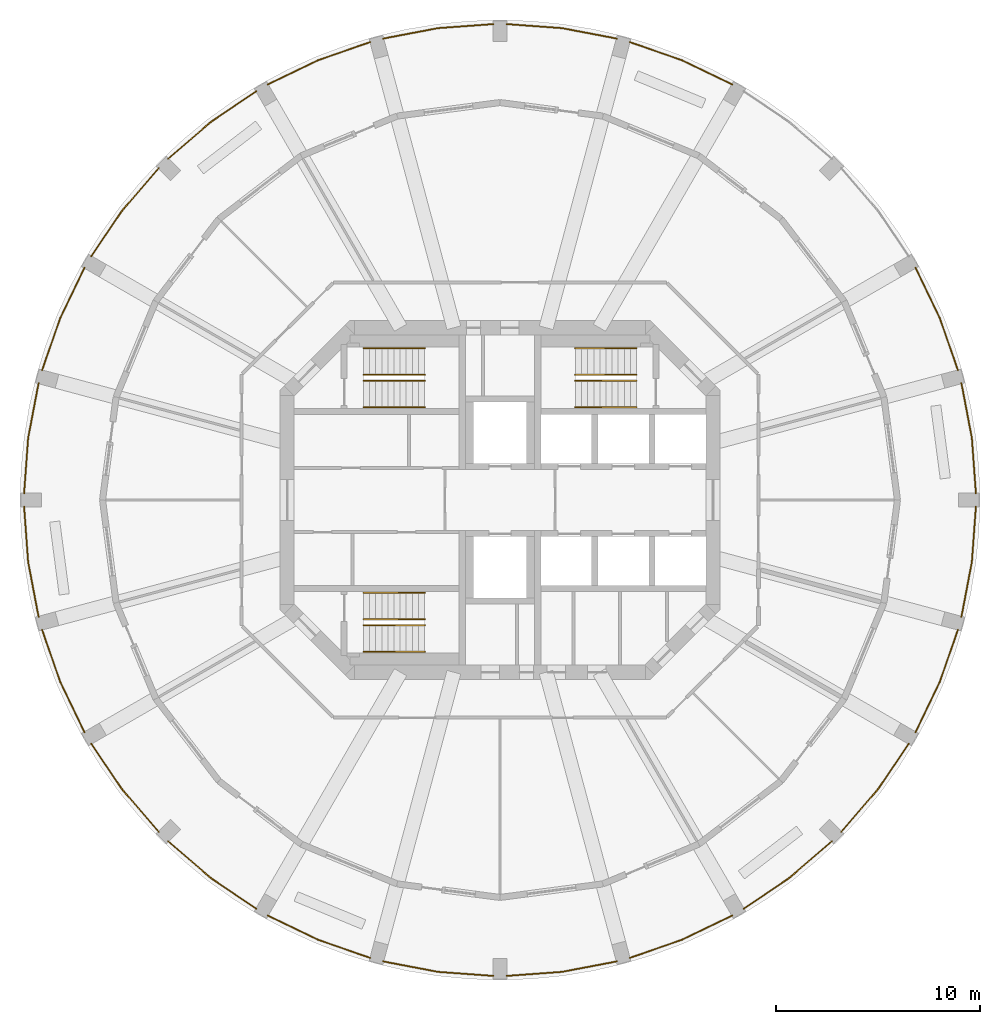
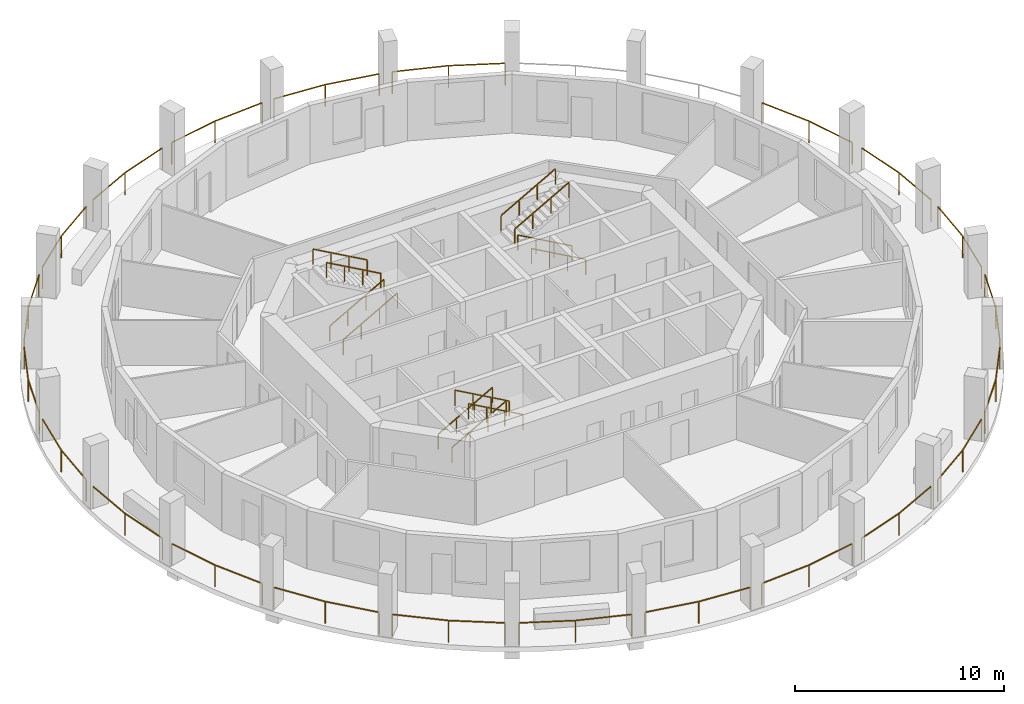
# One storey, part 7 of 8: 34 railings.
"""IFC4 building model written with IfcOpenShell, lengths in metres."""

from ifc_helpers import new_model, si_unit, direction, frame, origin, origin_2d, place, context, subcontext, project, spatial, rectangle, extrude, material, type_object, element, save


model = new_model("IFC4")

# Units and contexts
model_context = context("Model", 3, precision=1e-05, world=origin(), true_north=direction((0.0, 1.0)))
body_context = subcontext(model_context, "Body", "Model", "MODEL_VIEW")
ifc_project = project(units=[si_unit("LENGTHUNIT", "METRE"), si_unit("AREAUNIT", "SQUARE_METRE"), si_unit("VOLUMEUNIT", "CUBIC_METRE"), si_unit("PLANEANGLEUNIT", "RADIAN"), si_unit("MASSUNIT", "GRAM", prefix="KILO")], contexts=[model_context])

# Site, building, storey
site_placement = place(None, origin())
site = spatial("IfcSite", under=ifc_project, at=site_placement, CompositionType="ELEMENT")
building_placement = place(site_placement, origin())
building = spatial("IfcBuilding", under=site, at=building_placement, Name="Torre Triforio", CompositionType="ELEMENT")
storey_placement = place(building_placement, frame((0.0, 0.0, 192.800048828125)))
storey = spatial("IfcBuildingStorey", under=building, at=storey_placement, Name="L43", CompositionType="ELEMENT", Elevation=192.800048828125)

# Railings
ifc_material = material(Name="Stainless steel AISI 316", Category="steel")
railing_type_1 = type_object("IfcRailingType", Name="HANDRAIL 920", PredefinedType="HANDRAIL", material=ifc_material)
for number, where, name in (
    (1, (-6.699951171875, 4.550048828125, 0.168212890625), "Handrail ST1"),
    (2, (-6.699951171875, 5.85009765625, 0.168212890625), "Handrail ST1"),
):
    element("IfcRailing", number, at=place(storey_placement, frame(where)), inside=storey, type_object=railing_type_1, Name=name, PredefinedType="HANDRAIL", context=body_context, shape_type="SweptSolid", body=[
        extrude(rectangle(XDim=0.048095703125, YDim=0.048095703125, at=origin_2d()), frame((0.0, 0.0, 0.89599609375), z_axis=(0.872302573547, 0.0, 0.488966481656), x_axis=(0.0, 1.0, 0.0)), (0.0, 0.0, 1.0), 3.439208984375),
        extrude(rectangle(XDim=0.0419921875, YDim=0.0419921875, at=origin_2d()), origin(), (0.0, 0.0, 1.0), 0.871826171875),
        extrude(rectangle(XDim=0.0419921875, YDim=0.0419921875, at=origin_2d()), frame((1.0, 0.0, 0.560546875)), (0.0, 0.0, 1.0), 0.871826171875),
        extrude(rectangle(XDim=0.0419921875, YDim=0.0419921875, at=origin_2d()), frame((2.0, 0.0, 1.12109375)), (0.0, 0.0, 1.0), 0.871826171875),
        extrude(rectangle(XDim=0.0419921875, YDim=0.0419921875, at=origin_2d()), frame((3.0, 0.0, 1.681640625)), (0.0, 0.0, 1.0), 0.871826171875),
    ])
for number, where, name in (
    (3, (-3.699951171875, 7.449951171875, 2.01806640625), "Handrail ST1"),
    (4, (-3.699951171875, 6.14990234375, 2.01806640625), "Handrail ST1"),
):
    element("IfcRailing", number, at=place(storey_placement, frame(where)), inside=storey, type_object=railing_type_1, Name=name, PredefinedType="HANDRAIL", context=body_context, shape_type="SweptSolid", body=[
        extrude(rectangle(XDim=0.048095703125, YDim=0.048095703125, at=origin_2d()), frame((0.0, 0.0, 0.89599609375), z_axis=(-0.872272294576, 0.0, 0.489020494575), x_axis=(0.0, -1.0, 0.0)), (0.0, 0.0, 1.0), 3.439208984375),
        extrude(rectangle(XDim=0.0419921875, YDim=0.0419921875, at=origin_2d()), origin(), (0.0, 0.0, 1.0), 0.871826171875),
        extrude(rectangle(XDim=0.0419921875, YDim=0.0419921875, at=origin_2d()), frame((-1.0, 0.0, 0.560546875)), (0.0, 0.0, 1.0), 0.871826171875),
        extrude(rectangle(XDim=0.0419921875, YDim=0.0419921875, at=origin_2d()), frame((-2.0, 0.0, 1.121337890625)), (0.0, 0.0, 1.0), 0.871826171875),
        extrude(rectangle(XDim=0.0419921875, YDim=0.0419921875, at=origin_2d()), frame((-3.0, 0.0, 1.681884765625)), (0.0, 0.0, 1.0), 0.871826171875),
    ])
for number, where, name in (
    (5, (6.699951171875, 4.550048828125, 0.168212890625), "Handrail ST2"),
    (6, (6.699951171875, 5.85009765625, 0.168212890625), "Handrail ST2"),
):
    element("IfcRailing", number, at=place(storey_placement, frame(where)), inside=storey, type_object=railing_type_1, Name=name, PredefinedType="HANDRAIL", context=body_context, shape_type="SweptSolid", body=[
        extrude(rectangle(XDim=0.048095703125, YDim=0.048095703125, at=origin_2d()), frame((0.0, 0.0, 0.89599609375), z_axis=(-0.872302573547, 0.0, 0.488966481656), x_axis=(0.0, -1.0, 0.0)), (0.0, 0.0, 1.0), 3.439208984375),
        extrude(rectangle(XDim=0.0419921875, YDim=0.0419921875, at=origin_2d()), origin(), (0.0, 0.0, 1.0), 0.871826171875),
        extrude(rectangle(XDim=0.0419921875, YDim=0.0419921875, at=origin_2d()), frame((-1.0, 0.0, 0.560546875)), (0.0, 0.0, 1.0), 0.871826171875),
        extrude(rectangle(XDim=0.0419921875, YDim=0.0419921875, at=origin_2d()), frame((-2.0, 0.0, 1.12109375)), (0.0, 0.0, 1.0), 0.871826171875),
        extrude(rectangle(XDim=0.0419921875, YDim=0.0419921875, at=origin_2d()), frame((-3.0, 0.0, 1.681640625)), (0.0, 0.0, 1.0), 0.871826171875),
    ])
for number, where, name in (
    (7, (3.699951171875, 7.449951171875, 2.01806640625), "Handrail ST2"),
    (8, (3.699951171875, 6.14990234375, 2.01806640625), "Handrail ST2"),
):
    element("IfcRailing", number, at=place(storey_placement, frame(where)), inside=storey, type_object=railing_type_1, Name=name, PredefinedType="HANDRAIL", context=body_context, shape_type="SweptSolid", body=[
        extrude(rectangle(XDim=0.048095703125, YDim=0.048095703125, at=origin_2d()), frame((0.0, 0.0, 0.89599609375), z_axis=(0.872272294576, 0.0, 0.489020494575), x_axis=(0.0, 1.0, 0.0)), (0.0, 0.0, 1.0), 3.439208984375),
        extrude(rectangle(XDim=0.0419921875, YDim=0.0419921875, at=origin_2d()), origin(), (0.0, 0.0, 1.0), 0.871826171875),
        extrude(rectangle(XDim=0.0419921875, YDim=0.0419921875, at=origin_2d()), frame((1.0, 0.0, 0.560546875)), (0.0, 0.0, 1.0), 0.871826171875),
        extrude(rectangle(XDim=0.0419921875, YDim=0.0419921875, at=origin_2d()), frame((2.0, 0.0, 1.121337890625)), (0.0, 0.0, 1.0), 0.871826171875),
        extrude(rectangle(XDim=0.0419921875, YDim=0.0419921875, at=origin_2d()), frame((3.0, 0.0, 1.681884765625)), (0.0, 0.0, 1.0), 0.871826171875),
    ])
for number, where, name in (
    (9, (-6.699951171875, -4.550048828125, 0.168212890625), "Handrail ST3"),
    (10, (-6.699951171875, -5.85009765625, 0.168212890625), "Handrail ST3"),
):
    element("IfcRailing", number, at=place(storey_placement, frame(where)), inside=storey, type_object=railing_type_1, Name=name, PredefinedType="HANDRAIL", context=body_context, shape_type="SweptSolid", body=[
        extrude(rectangle(XDim=0.048095703125, YDim=0.048095703125, at=origin_2d()), frame((0.0, 0.0, 0.89599609375), z_axis=(0.872302573547, 0.0, 0.488966481656), x_axis=(0.0, 1.0, 0.0)), (0.0, 0.0, 1.0), 3.439208984375),
        extrude(rectangle(XDim=0.0419921875, YDim=0.0419921875, at=origin_2d()), origin(), (0.0, 0.0, 1.0), 0.871826171875),
        extrude(rectangle(XDim=0.0419921875, YDim=0.0419921875, at=origin_2d()), frame((1.0, 0.0, 0.560546875)), (0.0, 0.0, 1.0), 0.871826171875),
        extrude(rectangle(XDim=0.0419921875, YDim=0.0419921875, at=origin_2d()), frame((2.0, 0.0, 1.12109375)), (0.0, 0.0, 1.0), 0.871826171875),
        extrude(rectangle(XDim=0.0419921875, YDim=0.0419921875, at=origin_2d()), frame((3.0, 0.0, 1.681640625)), (0.0, 0.0, 1.0), 0.871826171875),
    ])
for number, where, name in (
    (11, (-3.699951171875, -7.449951171875, 2.01806640625), "Handrail ST3"),
    (12, (-3.699951171875, -6.14990234375, 2.01806640625), "Handrail ST3"),
):
    element("IfcRailing", number, at=place(storey_placement, frame(where)), inside=storey, type_object=railing_type_1, Name=name, PredefinedType="HANDRAIL", context=body_context, shape_type="SweptSolid", body=[
        extrude(rectangle(XDim=0.048095703125, YDim=0.048095703125, at=origin_2d()), frame((0.0, 0.0, 0.89599609375), z_axis=(-0.872272294576, 0.0, 0.489020494575), x_axis=(0.0, -1.0, 0.0)), (0.0, 0.0, 1.0), 3.439208984375),
        extrude(rectangle(XDim=0.0419921875, YDim=0.0419921875, at=origin_2d()), origin(), (0.0, 0.0, 1.0), 0.871826171875),
        extrude(rectangle(XDim=0.0419921875, YDim=0.0419921875, at=origin_2d()), frame((-1.0, 0.0, 0.560546875)), (0.0, 0.0, 1.0), 0.871826171875),
        extrude(rectangle(XDim=0.0419921875, YDim=0.0419921875, at=origin_2d()), frame((-2.0, 0.0, 1.121337890625)), (0.0, 0.0, 1.0), 0.871826171875),
        extrude(rectangle(XDim=0.0419921875, YDim=0.0419921875, at=origin_2d()), frame((-3.0, 0.0, 1.681884765625)), (0.0, 0.0, 1.0), 0.871826171875),
    ])
railing_type_2 = type_object("IfcRailingType", Name="Loggia guard 1300", PredefinedType="GUARDRAIL", material=ifc_material)
railing_1_placement = place(storey_placement, frame((23.35009765625, 0.320068359375, 0.0)))
element("IfcRailing", 13, at=railing_1_placement, inside=storey, type_object=railing_type_2, Name="Loggia guard L43 bay 01", PredefinedType="GUARDRAIL", context=body_context, shape_type="SweptSolid", body=[
    extrude(rectangle(XDim=0.050048828125, YDim=0.050048828125, at=origin_2d()), frame((0.0, 0.0, 1.27490234375), z_axis=(-0.073105569346, 0.997324207934, 0.0), x_axis=(-0.997324207934, -0.073105569346, 0.0)), (0.0, 0.0, 1.0), 2.735107421875),
    extrude(rectangle(XDim=0.050048828125, YDim=0.050048828125, at=origin_2d()), frame((-0.199951171875, 2.727783203125, 1.27490234375), z_axis=(-0.187542781797, 0.982256435457, 0.0), x_axis=(-0.982256435457, -0.187542781797, 0.0)), (0.0, 0.0, 1.0), 2.735107421875),
    extrude(rectangle(XDim=0.0400390625, YDim=0.0400390625, at=origin_2d()), origin(), (0.0, 0.0, 1.0), 1.25),
    extrude(rectangle(XDim=0.0400390625, YDim=0.0400390625, at=origin_2d()), frame((-0.199951171875, 2.727783203125, 0.0)), (0.0, 0.0, 1.0), 1.25),
    extrude(rectangle(XDim=0.0400390625, YDim=0.0400390625, at=origin_2d()), frame((-0.712890625, 5.414306640625, 0.0)), (0.0, 0.0, 1.0), 1.25),
])
railing_2_placement = place(storey_placement, frame((22.471435546875, 6.3525390625, 0.0)))
element("IfcRailing", 14, at=railing_2_placement, inside=storey, type_object=railing_type_2, Name="Loggia guard L43 bay 02", PredefinedType="GUARDRAIL", context=body_context, shape_type="SweptSolid", body=[
    extrude(rectangle(XDim=0.050048828125, YDim=0.050048828125, at=origin_2d()), frame((0.0, 0.0, 1.27490234375), z_axis=(-0.328652177394, 0.944451029061, 0.0), x_axis=(-0.944451029061, -0.328652177394, 0.0)), (0.0, 0.0, 1.0), 2.735107421875),
    extrude(rectangle(XDim=0.050048828125, YDim=0.050048828125, at=origin_2d()), frame((-0.89892578125, 2.583251953125, 1.27490234375), z_axis=(-0.435427931096, 0.900223592682, 0.0), x_axis=(-0.900223592682, -0.435427931096, 0.0)), (0.0, 0.0, 1.0), 2.735107421875),
    extrude(rectangle(XDim=0.0400390625, YDim=0.0400390625, at=origin_2d()), origin(), (0.0, 0.0, 1.0), 1.25),
    extrude(rectangle(XDim=0.0400390625, YDim=0.0400390625, at=origin_2d()), frame((-0.89892578125, 2.583251953125, 0.0)), (0.0, 0.0, 1.0), 1.25),
    extrude(rectangle(XDim=0.0400390625, YDim=0.0400390625, at=origin_2d()), frame((-2.08984375, 5.04541015625, 0.0)), (0.0, 0.0, 1.0), 1.25),
])
railing_3_placement = place(storey_placement, frame((11.39794921875, 20.381591796875, 0.0)))
element("IfcRailing", 15, at=railing_3_placement, inside=storey, type_object=railing_type_2, Name="Loggia guard L43 bay 05", PredefinedType="GUARDRAIL", context=body_context, shape_type="SweptSolid", body=[
    extrude(rectangle(XDim=0.050048828125, YDim=0.050048828125, at=origin_2d()), frame((0.0, 0.0, 1.27490234375), z_axis=(-0.900223592682, 0.435427931096, 0.0), x_axis=(-0.435427931096, -0.900223592682, 0.0)), (0.0, 0.0, 1.0), 2.735107421875),
    extrude(rectangle(XDim=0.050048828125, YDim=0.050048828125, at=origin_2d()), frame((-2.462158203125, 1.19091796875, 1.27490234375), z_axis=(-0.944451029061, 0.328652177394, 0.0), x_axis=(-0.328652177394, -0.944451029061, 0.0)), (0.0, 0.0, 1.0), 2.735107421875),
    extrude(rectangle(XDim=0.0400390625, YDim=0.0400390625, at=origin_2d()), origin(), (0.0, 0.0, 1.0), 1.25),
    extrude(rectangle(XDim=0.0400390625, YDim=0.0400390625, at=origin_2d()), frame((-2.462158203125, 1.19091796875, 0.0)), (0.0, 0.0, 1.0), 1.25),
    extrude(rectangle(XDim=0.0400390625, YDim=0.0400390625, at=origin_2d()), frame((-5.04541015625, 2.08984375, 0.0)), (0.0, 0.0, 1.0), 1.25),
])
railing_4_placement = place(storey_placement, frame((5.734375, 22.63720703125, 0.0)))
element("IfcRailing", 16, at=railing_4_placement, inside=storey, type_object=railing_type_2, Name="Loggia guard L43 bay 06", PredefinedType="GUARDRAIL", context=body_context, shape_type="SweptSolid", body=[
    extrude(rectangle(XDim=0.050048828125, YDim=0.050048828125, at=origin_2d()), frame((0.0, 0.0, 1.27490234375), z_axis=(-0.982256435457, 0.187542781797, 0.0), x_axis=(-0.187542781797, -0.982256435457, 0.0)), (0.0, 0.0, 1.0), 2.735107421875),
    extrude(rectangle(XDim=0.050048828125, YDim=0.050048828125, at=origin_2d()), frame((-2.6865234375, 0.512939453125, 1.27490234375), z_axis=(-0.997324207934, 0.073105569346, 0.0), x_axis=(-0.073105569346, -0.997324207934, 0.0)), (0.0, 0.0, 1.0), 2.735107421875),
    extrude(rectangle(XDim=0.0400390625, YDim=0.0400390625, at=origin_2d()), origin(), (0.0, 0.0, 1.0), 1.25),
    extrude(rectangle(XDim=0.0400390625, YDim=0.0400390625, at=origin_2d()), frame((-2.6865234375, 0.512939453125, 0.0)), (0.0, 0.0, 1.0), 1.25),
    extrude(rectangle(XDim=0.0400390625, YDim=0.0400390625, at=origin_2d()), frame((-5.414306640625, 0.712890625, 0.0)), (0.0, 0.0, 1.0), 1.25),
])
railing_5_placement = place(storey_placement, frame((-0.320068359375, 23.35009765625, 0.0)))
element("IfcRailing", 17, at=railing_5_placement, inside=storey, type_object=railing_type_2, Name="Loggia guard L43 bay 07", PredefinedType="GUARDRAIL", context=body_context, shape_type="SweptSolid", body=[
    extrude(rectangle(XDim=0.050048828125, YDim=0.050048828125, at=origin_2d()), frame((0.0, 0.0, 1.27490234375), z_axis=(-0.997324207934, -0.073105569346, 0.0), x_axis=(0.073105569346, -0.997324207934, 0.0)), (0.0, 0.0, 1.0), 2.735107421875),
    extrude(rectangle(XDim=0.050048828125, YDim=0.050048828125, at=origin_2d()), frame((-2.727783203125, -0.199951171875, 1.27490234375), z_axis=(-0.982256435457, -0.187542781797, 0.0), x_axis=(0.187542781797, -0.982256435457, 0.0)), (0.0, 0.0, 1.0), 2.735107421875),
    extrude(rectangle(XDim=0.0400390625, YDim=0.0400390625, at=origin_2d()), origin(), (0.0, 0.0, 1.0), 1.25),
    extrude(rectangle(XDim=0.0400390625, YDim=0.0400390625, at=origin_2d()), frame((-2.727783203125, -0.199951171875, 0.0)), (0.0, 0.0, 1.0), 1.25),
    extrude(rectangle(XDim=0.0400390625, YDim=0.0400390625, at=origin_2d()), frame((-5.414306640625, -0.712890625, 0.0)), (0.0, 0.0, 1.0), 1.25),
])
railing_6_placement = place(storey_placement, frame((-6.3525390625, 22.471435546875, 0.0)))
element("IfcRailing", 18, at=railing_6_placement, inside=storey, type_object=railing_type_2, Name="Loggia guard L43 bay 08", PredefinedType="GUARDRAIL", context=body_context, shape_type="SweptSolid", body=[
    extrude(rectangle(XDim=0.050048828125, YDim=0.050048828125, at=origin_2d()), frame((0.0, 0.0, 1.27490234375), z_axis=(-0.944451029061, -0.328652177394, 0.0), x_axis=(0.328652177394, -0.944451029061, 0.0)), (0.0, 0.0, 1.0), 2.735107421875),
    extrude(rectangle(XDim=0.050048828125, YDim=0.050048828125, at=origin_2d()), frame((-2.583251953125, -0.89892578125, 1.27490234375), z_axis=(-0.900223592682, -0.435427931096, 0.0), x_axis=(0.435427931096, -0.900223592682, 0.0)), (0.0, 0.0, 1.0), 2.735107421875),
    extrude(rectangle(XDim=0.0400390625, YDim=0.0400390625, at=origin_2d()), origin(), (0.0, 0.0, 1.0), 1.25),
    extrude(rectangle(XDim=0.0400390625, YDim=0.0400390625, at=origin_2d()), frame((-2.583251953125, -0.89892578125, 0.0)), (0.0, 0.0, 1.0), 1.25),
    extrude(rectangle(XDim=0.0400390625, YDim=0.0400390625, at=origin_2d()), frame((-5.04541015625, -2.08984375, 0.0)), (0.0, 0.0, 1.0), 1.25),
])
railing_7_placement = place(storey_placement, frame((-11.9521484375, 20.061767578125, 0.0)))
element("IfcRailing", 19, at=railing_7_placement, inside=storey, type_object=railing_type_2, Name="Loggia guard L43 bay 09", PredefinedType="GUARDRAIL", context=body_context, shape_type="SweptSolid", body=[
    extrude(rectangle(XDim=0.050048828125, YDim=0.050048828125, at=origin_2d()), frame((0.0, 0.0, 1.27490234375), z_axis=(-0.827198686069, -0.561909542334, 0.0), x_axis=(0.561909542334, -0.827198686069, 0.0)), (0.0, 0.0, 1.0), 2.735107421875),
    extrude(rectangle(XDim=0.050048828125, YDim=0.050048828125, at=origin_2d()), frame((-2.262451171875, -1.536865234375, 1.27490234375), z_axis=(-0.756857127214, -0.653580361536, 0.0), x_axis=(0.653580361536, -0.756857127214, 0.0)), (0.0, 0.0, 1.0), 2.735107421875),
    extrude(rectangle(XDim=0.0400390625, YDim=0.0400390625, at=origin_2d()), origin(), (0.0, 0.0, 1.0), 1.25),
    extrude(rectangle(XDim=0.0400390625, YDim=0.0400390625, at=origin_2d()), frame((-2.262451171875, -1.536865234375, 0.0)), (0.0, 0.0, 1.0), 1.25),
    extrude(rectangle(XDim=0.0400390625, YDim=0.0400390625, at=origin_2d()), frame((-4.33251953125, -3.324462890625, 0.0)), (0.0, 0.0, 1.0), 1.25),
])
railing_8_placement = place(storey_placement, frame((-16.7373046875, 16.28466796875, 0.0)))
element("IfcRailing", 20, at=railing_8_placement, inside=storey, type_object=railing_type_2, Name="Loggia guard L43 bay 10", PredefinedType="GUARDRAIL", context=body_context, shape_type="SweptSolid", body=[
    extrude(rectangle(XDim=0.050048828125, YDim=0.050048828125, at=origin_2d()), frame((0.0, 0.0, 1.27490234375), z_axis=(-0.653580361536, -0.756857127214, 0.0), x_axis=(0.756857127214, -0.653580361536, 0.0)), (0.0, 0.0, 1.0), 2.735107421875),
    extrude(rectangle(XDim=0.050048828125, YDim=0.050048828125, at=origin_2d()), frame((-1.78759765625, -2.070068359375, 1.27490234375), z_axis=(-0.561909542334, -0.827198686069, 0.0), x_axis=(0.827198686069, -0.561909542334, 0.0)), (0.0, 0.0, 1.0), 2.735107421875),
    extrude(rectangle(XDim=0.0400390625, YDim=0.0400390625, at=origin_2d()), origin(), (0.0, 0.0, 1.0), 1.25),
    extrude(rectangle(XDim=0.0400390625, YDim=0.0400390625, at=origin_2d()), frame((-1.78759765625, -2.070068359375, 0.0)), (0.0, 0.0, 1.0), 1.25),
    extrude(rectangle(XDim=0.0400390625, YDim=0.0400390625, at=origin_2d()), frame((-3.324462890625, -4.33251953125, 0.0)), (0.0, 0.0, 1.0), 1.25),
])
railing_9_placement = place(storey_placement, frame((-20.381591796875, 11.39794921875, 0.0)))
element("IfcRailing", 21, at=railing_9_placement, inside=storey, type_object=railing_type_2, Name="Loggia guard L43 bay 11", PredefinedType="GUARDRAIL", context=body_context, shape_type="SweptSolid", body=[
    extrude(rectangle(XDim=0.050048828125, YDim=0.050048828125, at=origin_2d()), frame((0.0, 0.0, 1.27490234375), z_axis=(-0.435427931096, -0.900223592682, 0.0), x_axis=(0.900223592682, -0.435427931096, 0.0)), (0.0, 0.0, 1.0), 2.735107421875),
    extrude(rectangle(XDim=0.050048828125, YDim=0.050048828125, at=origin_2d()), frame((-1.19091796875, -2.462158203125, 1.27490234375), z_axis=(-0.328652177394, -0.944451029061, 0.0), x_axis=(0.944451029061, -0.328652177394, 0.0)), (0.0, 0.0, 1.0), 2.735107421875),
    extrude(rectangle(XDim=0.0400390625, YDim=0.0400390625, at=origin_2d()), origin(), (0.0, 0.0, 1.0), 1.25),
    extrude(rectangle(XDim=0.0400390625, YDim=0.0400390625, at=origin_2d()), frame((-1.19091796875, -2.462158203125, 0.0)), (0.0, 0.0, 1.0), 1.25),
    extrude(rectangle(XDim=0.0400390625, YDim=0.0400390625, at=origin_2d()), frame((-2.08984375, -5.04541015625, 0.0)), (0.0, 0.0, 1.0), 1.25),
])
railing_10_placement = place(storey_placement, frame((-22.63720703125, 5.734375, 0.0)))
element("IfcRailing", 22, at=railing_10_placement, inside=storey, type_object=railing_type_2, Name="Loggia guard L43 bay 12", PredefinedType="GUARDRAIL", context=body_context, shape_type="SweptSolid", body=[
    extrude(rectangle(XDim=0.050048828125, YDim=0.050048828125, at=origin_2d()), frame((0.0, 0.0, 1.27490234375), z_axis=(-0.187542781797, -0.982256435457, 0.0), x_axis=(0.982256435457, -0.187542781797, 0.0)), (0.0, 0.0, 1.0), 2.735107421875),
    extrude(rectangle(XDim=0.050048828125, YDim=0.050048828125, at=origin_2d()), frame((-0.512939453125, -2.6865234375, 1.27490234375), z_axis=(-0.073105569346, -0.997324207934, 0.0), x_axis=(0.997324207934, -0.073105569346, 0.0)), (0.0, 0.0, 1.0), 2.735107421875),
    extrude(rectangle(XDim=0.0400390625, YDim=0.0400390625, at=origin_2d()), origin(), (0.0, 0.0, 1.0), 1.25),
    extrude(rectangle(XDim=0.0400390625, YDim=0.0400390625, at=origin_2d()), frame((-0.512939453125, -2.6865234375, 0.0)), (0.0, 0.0, 1.0), 1.25),
    extrude(rectangle(XDim=0.0400390625, YDim=0.0400390625, at=origin_2d()), frame((-0.712890625, -5.414306640625, 0.0)), (0.0, 0.0, 1.0), 1.25),
])
railing_11_placement = place(storey_placement, frame((-23.35009765625, -0.320068359375, 0.0)))
element("IfcRailing", 23, at=railing_11_placement, inside=storey, type_object=railing_type_2, Name="Loggia guard L43 bay 13", PredefinedType="GUARDRAIL", context=body_context, shape_type="SweptSolid", body=[
    extrude(rectangle(XDim=0.050048828125, YDim=0.050048828125, at=origin_2d()), frame((0.0, 0.0, 1.27490234375), z_axis=(0.073105569346, -0.997324207934, 0.0), x_axis=(0.997324207934, 0.073105569346, 0.0)), (0.0, 0.0, 1.0), 2.735107421875),
    extrude(rectangle(XDim=0.050048828125, YDim=0.050048828125, at=origin_2d()), frame((0.199951171875, -2.727783203125, 1.27490234375), z_axis=(0.187542781797, -0.982256435457, 0.0), x_axis=(0.982256435457, 0.187542781797, 0.0)), (0.0, 0.0, 1.0), 2.735107421875),
    extrude(rectangle(XDim=0.0400390625, YDim=0.0400390625, at=origin_2d()), origin(), (0.0, 0.0, 1.0), 1.25),
    extrude(rectangle(XDim=0.0400390625, YDim=0.0400390625, at=origin_2d()), frame((0.199951171875, -2.727783203125, 0.0)), (0.0, 0.0, 1.0), 1.25),
    extrude(rectangle(XDim=0.0400390625, YDim=0.0400390625, at=origin_2d()), frame((0.712890625, -5.414306640625, 0.0)), (0.0, 0.0, 1.0), 1.25),
])
railing_12_placement = place(storey_placement, frame((-22.471435546875, -6.3525390625, 0.0)))
element("IfcRailing", 24, at=railing_12_placement, inside=storey, type_object=railing_type_2, Name="Loggia guard L43 bay 14", PredefinedType="GUARDRAIL", context=body_context, shape_type="SweptSolid", body=[
    extrude(rectangle(XDim=0.050048828125, YDim=0.050048828125, at=origin_2d()), frame((0.0, 0.0, 1.27490234375), z_axis=(0.328652177394, -0.944451029061, 0.0), x_axis=(0.944451029061, 0.328652177394, 0.0)), (0.0, 0.0, 1.0), 2.735107421875),
    extrude(rectangle(XDim=0.050048828125, YDim=0.050048828125, at=origin_2d()), frame((0.89892578125, -2.583251953125, 1.27490234375), z_axis=(0.435427931096, -0.900223592682, 0.0), x_axis=(0.900223592682, 0.435427931096, 0.0)), (0.0, 0.0, 1.0), 2.735107421875),
    extrude(rectangle(XDim=0.0400390625, YDim=0.0400390625, at=origin_2d()), origin(), (0.0, 0.0, 1.0), 1.25),
    extrude(rectangle(XDim=0.0400390625, YDim=0.0400390625, at=origin_2d()), frame((0.89892578125, -2.583251953125, 0.0)), (0.0, 0.0, 1.0), 1.25),
    extrude(rectangle(XDim=0.0400390625, YDim=0.0400390625, at=origin_2d()), frame((2.08984375, -5.04541015625, 0.0)), (0.0, 0.0, 1.0), 1.25),
])
railing_13_placement = place(storey_placement, frame((-20.061767578125, -11.9521484375, 0.0)))
element("IfcRailing", 25, at=railing_13_placement, inside=storey, type_object=railing_type_2, Name="Loggia guard L43 bay 15", PredefinedType="GUARDRAIL", context=body_context, shape_type="SweptSolid", body=[
    extrude(rectangle(XDim=0.050048828125, YDim=0.050048828125, at=origin_2d()), frame((0.0, 0.0, 1.27490234375), z_axis=(0.561909542334, -0.827198686069, 0.0), x_axis=(0.827198686069, 0.561909542334, 0.0)), (0.0, 0.0, 1.0), 2.735107421875),
    extrude(rectangle(XDim=0.050048828125, YDim=0.050048828125, at=origin_2d()), frame((1.536865234375, -2.262451171875, 1.27490234375), z_axis=(0.653580361536, -0.756857127214, 0.0), x_axis=(0.756857127214, 0.653580361536, 0.0)), (0.0, 0.0, 1.0), 2.735107421875),
    extrude(rectangle(XDim=0.0400390625, YDim=0.0400390625, at=origin_2d()), origin(), (0.0, 0.0, 1.0), 1.25),
    extrude(rectangle(XDim=0.0400390625, YDim=0.0400390625, at=origin_2d()), frame((1.536865234375, -2.262451171875, 0.0)), (0.0, 0.0, 1.0), 1.25),
    extrude(rectangle(XDim=0.0400390625, YDim=0.0400390625, at=origin_2d()), frame((3.324462890625, -4.33251953125, 0.0)), (0.0, 0.0, 1.0), 1.25),
])
railing_14_placement = place(storey_placement, frame((-16.28466796875, -16.7373046875, 0.0)))
element("IfcRailing", 26, at=railing_14_placement, inside=storey, type_object=railing_type_2, Name="Loggia guard L43 bay 16", PredefinedType="GUARDRAIL", context=body_context, shape_type="SweptSolid", body=[
    extrude(rectangle(XDim=0.050048828125, YDim=0.050048828125, at=origin_2d()), frame((0.0, 0.0, 1.27490234375), z_axis=(0.756857127214, -0.653580361536, 0.0), x_axis=(0.653580361536, 0.756857127214, 0.0)), (0.0, 0.0, 1.0), 2.735107421875),
    extrude(rectangle(XDim=0.050048828125, YDim=0.050048828125, at=origin_2d()), frame((2.070068359375, -1.78759765625, 1.27490234375), z_axis=(0.827198686069, -0.561909542334, 0.0), x_axis=(0.561909542334, 0.827198686069, 0.0)), (0.0, 0.0, 1.0), 2.735107421875),
    extrude(rectangle(XDim=0.0400390625, YDim=0.0400390625, at=origin_2d()), origin(), (0.0, 0.0, 1.0), 1.25),
    extrude(rectangle(XDim=0.0400390625, YDim=0.0400390625, at=origin_2d()), frame((2.070068359375, -1.78759765625, 0.0)), (0.0, 0.0, 1.0), 1.25),
    extrude(rectangle(XDim=0.0400390625, YDim=0.0400390625, at=origin_2d()), frame((4.33251953125, -3.324462890625, 0.0)), (0.0, 0.0, 1.0), 1.25),
])
railing_15_placement = place(storey_placement, frame((-11.39794921875, -20.381591796875, 0.0)))
element("IfcRailing", 27, at=railing_15_placement, inside=storey, type_object=railing_type_2, Name="Loggia guard L43 bay 17", PredefinedType="GUARDRAIL", context=body_context, shape_type="SweptSolid", body=[
    extrude(rectangle(XDim=0.050048828125, YDim=0.050048828125, at=origin_2d()), frame((0.0, 0.0, 1.27490234375), z_axis=(0.900223592682, -0.435427931096, 0.0), x_axis=(0.435427931096, 0.900223592682, 0.0)), (0.0, 0.0, 1.0), 2.735107421875),
    extrude(rectangle(XDim=0.050048828125, YDim=0.050048828125, at=origin_2d()), frame((2.462158203125, -1.19091796875, 1.27490234375), z_axis=(0.944451029061, -0.328652177394, 0.0), x_axis=(0.328652177394, 0.944451029061, 0.0)), (0.0, 0.0, 1.0), 2.735107421875),
    extrude(rectangle(XDim=0.0400390625, YDim=0.0400390625, at=origin_2d()), origin(), (0.0, 0.0, 1.0), 1.25),
    extrude(rectangle(XDim=0.0400390625, YDim=0.0400390625, at=origin_2d()), frame((2.462158203125, -1.19091796875, 0.0)), (0.0, 0.0, 1.0), 1.25),
    extrude(rectangle(XDim=0.0400390625, YDim=0.0400390625, at=origin_2d()), frame((5.04541015625, -2.08984375, 0.0)), (0.0, 0.0, 1.0), 1.25),
])
railing_16_placement = place(storey_placement, frame((-5.734375, -22.63720703125, 0.0)))
element("IfcRailing", 28, at=railing_16_placement, inside=storey, type_object=railing_type_2, Name="Loggia guard L43 bay 18", PredefinedType="GUARDRAIL", context=body_context, shape_type="SweptSolid", body=[
    extrude(rectangle(XDim=0.050048828125, YDim=0.050048828125, at=origin_2d()), frame((0.0, 0.0, 1.27490234375), z_axis=(0.982256435457, -0.187542781797, 0.0), x_axis=(0.187542781797, 0.982256435457, 0.0)), (0.0, 0.0, 1.0), 2.735107421875),
    extrude(rectangle(XDim=0.050048828125, YDim=0.050048828125, at=origin_2d()), frame((2.6865234375, -0.512939453125, 1.27490234375), z_axis=(0.997324207934, -0.073105569346, 0.0), x_axis=(0.073105569346, 0.997324207934, 0.0)), (0.0, 0.0, 1.0), 2.735107421875),
    extrude(rectangle(XDim=0.0400390625, YDim=0.0400390625, at=origin_2d()), origin(), (0.0, 0.0, 1.0), 1.25),
    extrude(rectangle(XDim=0.0400390625, YDim=0.0400390625, at=origin_2d()), frame((2.6865234375, -0.512939453125, 0.0)), (0.0, 0.0, 1.0), 1.25),
    extrude(rectangle(XDim=0.0400390625, YDim=0.0400390625, at=origin_2d()), frame((5.414306640625, -0.712890625, 0.0)), (0.0, 0.0, 1.0), 1.25),
])
railing_17_placement = place(storey_placement, frame((0.320068359375, -23.35009765625, 0.0)))
element("IfcRailing", 29, at=railing_17_placement, inside=storey, type_object=railing_type_2, Name="Loggia guard L43 bay 19", PredefinedType="GUARDRAIL", context=body_context, shape_type="SweptSolid", body=[
    extrude(rectangle(XDim=0.050048828125, YDim=0.050048828125, at=origin_2d()), frame((0.0, 0.0, 1.27490234375), z_axis=(0.997324207934, 0.073105569346, 0.0), x_axis=(-0.073105569346, 0.997324207934, 0.0)), (0.0, 0.0, 1.0), 2.735107421875),
    extrude(rectangle(XDim=0.050048828125, YDim=0.050048828125, at=origin_2d()), frame((2.727783203125, 0.199951171875, 1.27490234375), z_axis=(0.982256435457, 0.187542781797, 0.0), x_axis=(-0.187542781797, 0.982256435457, 0.0)), (0.0, 0.0, 1.0), 2.735107421875),
    extrude(rectangle(XDim=0.0400390625, YDim=0.0400390625, at=origin_2d()), origin(), (0.0, 0.0, 1.0), 1.25),
    extrude(rectangle(XDim=0.0400390625, YDim=0.0400390625, at=origin_2d()), frame((2.727783203125, 0.199951171875, 0.0)), (0.0, 0.0, 1.0), 1.25),
    extrude(rectangle(XDim=0.0400390625, YDim=0.0400390625, at=origin_2d()), frame((5.414306640625, 0.712890625, 0.0)), (0.0, 0.0, 1.0), 1.25),
])
railing_18_placement = place(storey_placement, frame((6.3525390625, -22.471435546875, 0.0)))
element("IfcRailing", 30, at=railing_18_placement, inside=storey, type_object=railing_type_2, Name="Loggia guard L43 bay 20", PredefinedType="GUARDRAIL", context=body_context, shape_type="SweptSolid", body=[
    extrude(rectangle(XDim=0.050048828125, YDim=0.050048828125, at=origin_2d()), frame((0.0, 0.0, 1.27490234375), z_axis=(0.944451029061, 0.328652177394, 0.0), x_axis=(-0.328652177394, 0.944451029061, 0.0)), (0.0, 0.0, 1.0), 2.735107421875),
    extrude(rectangle(XDim=0.050048828125, YDim=0.050048828125, at=origin_2d()), frame((2.583251953125, 0.89892578125, 1.27490234375), z_axis=(0.900223592682, 0.435427931096, 0.0), x_axis=(-0.435427931096, 0.900223592682, 0.0)), (0.0, 0.0, 1.0), 2.735107421875),
    extrude(rectangle(XDim=0.0400390625, YDim=0.0400390625, at=origin_2d()), origin(), (0.0, 0.0, 1.0), 1.25),
    extrude(rectangle(XDim=0.0400390625, YDim=0.0400390625, at=origin_2d()), frame((2.583251953125, 0.89892578125, 0.0)), (0.0, 0.0, 1.0), 1.25),
    extrude(rectangle(XDim=0.0400390625, YDim=0.0400390625, at=origin_2d()), frame((5.04541015625, 2.08984375, 0.0)), (0.0, 0.0, 1.0), 1.25),
])
railing_19_placement = place(storey_placement, frame((11.9521484375, -20.061767578125, 0.0)))
element("IfcRailing", 31, at=railing_19_placement, inside=storey, type_object=railing_type_2, Name="Loggia guard L43 bay 21", PredefinedType="GUARDRAIL", context=body_context, shape_type="SweptSolid", body=[
    extrude(rectangle(XDim=0.050048828125, YDim=0.050048828125, at=origin_2d()), frame((0.0, 0.0, 1.27490234375), z_axis=(0.827198686069, 0.561909542334, 0.0), x_axis=(-0.561909542334, 0.827198686069, 0.0)), (0.0, 0.0, 1.0), 2.735107421875),
    extrude(rectangle(XDim=0.050048828125, YDim=0.050048828125, at=origin_2d()), frame((2.262451171875, 1.536865234375, 1.27490234375), z_axis=(0.756857127214, 0.653580361536, 0.0), x_axis=(-0.653580361536, 0.756857127214, 0.0)), (0.0, 0.0, 1.0), 2.735107421875),
    extrude(rectangle(XDim=0.0400390625, YDim=0.0400390625, at=origin_2d()), origin(), (0.0, 0.0, 1.0), 1.25),
    extrude(rectangle(XDim=0.0400390625, YDim=0.0400390625, at=origin_2d()), frame((2.262451171875, 1.536865234375, 0.0)), (0.0, 0.0, 1.0), 1.25),
    extrude(rectangle(XDim=0.0400390625, YDim=0.0400390625, at=origin_2d()), frame((4.33251953125, 3.324462890625, 0.0)), (0.0, 0.0, 1.0), 1.25),
])
railing_20_placement = place(storey_placement, frame((16.7373046875, -16.28466796875, 0.0)))
element("IfcRailing", 32, at=railing_20_placement, inside=storey, type_object=railing_type_2, Name="Loggia guard L43 bay 22", PredefinedType="GUARDRAIL", context=body_context, shape_type="SweptSolid", body=[
    extrude(rectangle(XDim=0.050048828125, YDim=0.050048828125, at=origin_2d()), frame((0.0, 0.0, 1.27490234375), z_axis=(0.653580361536, 0.756857127214, 0.0), x_axis=(-0.756857127214, 0.653580361536, 0.0)), (0.0, 0.0, 1.0), 2.735107421875),
    extrude(rectangle(XDim=0.050048828125, YDim=0.050048828125, at=origin_2d()), frame((1.78759765625, 2.070068359375, 1.27490234375), z_axis=(0.561909542334, 0.827198686069, 0.0), x_axis=(-0.827198686069, 0.561909542334, 0.0)), (0.0, 0.0, 1.0), 2.735107421875),
    extrude(rectangle(XDim=0.0400390625, YDim=0.0400390625, at=origin_2d()), origin(), (0.0, 0.0, 1.0), 1.25),
    extrude(rectangle(XDim=0.0400390625, YDim=0.0400390625, at=origin_2d()), frame((1.78759765625, 2.070068359375, 0.0)), (0.0, 0.0, 1.0), 1.25),
    extrude(rectangle(XDim=0.0400390625, YDim=0.0400390625, at=origin_2d()), frame((3.324462890625, 4.33251953125, 0.0)), (0.0, 0.0, 1.0), 1.25),
])
railing_21_placement = place(storey_placement, frame((20.381591796875, -11.39794921875, 0.0)))
element("IfcRailing", 33, at=railing_21_placement, inside=storey, type_object=railing_type_2, Name="Loggia guard L43 bay 23", PredefinedType="GUARDRAIL", context=body_context, shape_type="SweptSolid", body=[
    extrude(rectangle(XDim=0.050048828125, YDim=0.050048828125, at=origin_2d()), frame((0.0, 0.0, 1.27490234375), z_axis=(0.435427931096, 0.900223592682, 0.0), x_axis=(-0.900223592682, 0.435427931096, 0.0)), (0.0, 0.0, 1.0), 2.735107421875),
    extrude(rectangle(XDim=0.050048828125, YDim=0.050048828125, at=origin_2d()), frame((1.19091796875, 2.462158203125, 1.27490234375), z_axis=(0.328652177394, 0.944451029061, 0.0), x_axis=(-0.944451029061, 0.328652177394, 0.0)), (0.0, 0.0, 1.0), 2.735107421875),
    extrude(rectangle(XDim=0.0400390625, YDim=0.0400390625, at=origin_2d()), origin(), (0.0, 0.0, 1.0), 1.25),
    extrude(rectangle(XDim=0.0400390625, YDim=0.0400390625, at=origin_2d()), frame((1.19091796875, 2.462158203125, 0.0)), (0.0, 0.0, 1.0), 1.25),
    extrude(rectangle(XDim=0.0400390625, YDim=0.0400390625, at=origin_2d()), frame((2.08984375, 5.04541015625, 0.0)), (0.0, 0.0, 1.0), 1.25),
])
railing_22_placement = place(storey_placement, frame((22.63720703125, -5.734375, 0.0)))
element("IfcRailing", 34, at=railing_22_placement, inside=storey, type_object=railing_type_2, Name="Loggia guard L43 bay 24", PredefinedType="GUARDRAIL", context=body_context, shape_type="SweptSolid", body=[
    extrude(rectangle(XDim=0.050048828125, YDim=0.050048828125, at=origin_2d()), frame((0.0, 0.0, 1.27490234375), z_axis=(0.187542781797, 0.982256435457, 0.0), x_axis=(-0.982256435457, 0.187542781797, 0.0)), (0.0, 0.0, 1.0), 2.735107421875),
    extrude(rectangle(XDim=0.050048828125, YDim=0.050048828125, at=origin_2d()), frame((0.512939453125, 2.6865234375, 1.27490234375), z_axis=(0.073105569346, 0.997324207934, 0.0), x_axis=(-0.997324207934, 0.073105569346, 0.0)), (0.0, 0.0, 1.0), 2.735107421875),
    extrude(rectangle(XDim=0.0400390625, YDim=0.0400390625, at=origin_2d()), origin(), (0.0, 0.0, 1.0), 1.25),
    extrude(rectangle(XDim=0.0400390625, YDim=0.0400390625, at=origin_2d()), frame((0.512939453125, 2.6865234375, 0.0)), (0.0, 0.0, 1.0), 1.25),
    extrude(rectangle(XDim=0.0400390625, YDim=0.0400390625, at=origin_2d()), frame((0.712890625, 5.414306640625, 0.0)), (0.0, 0.0, 1.0), 1.25),
])

save(model, "model.ifc")
